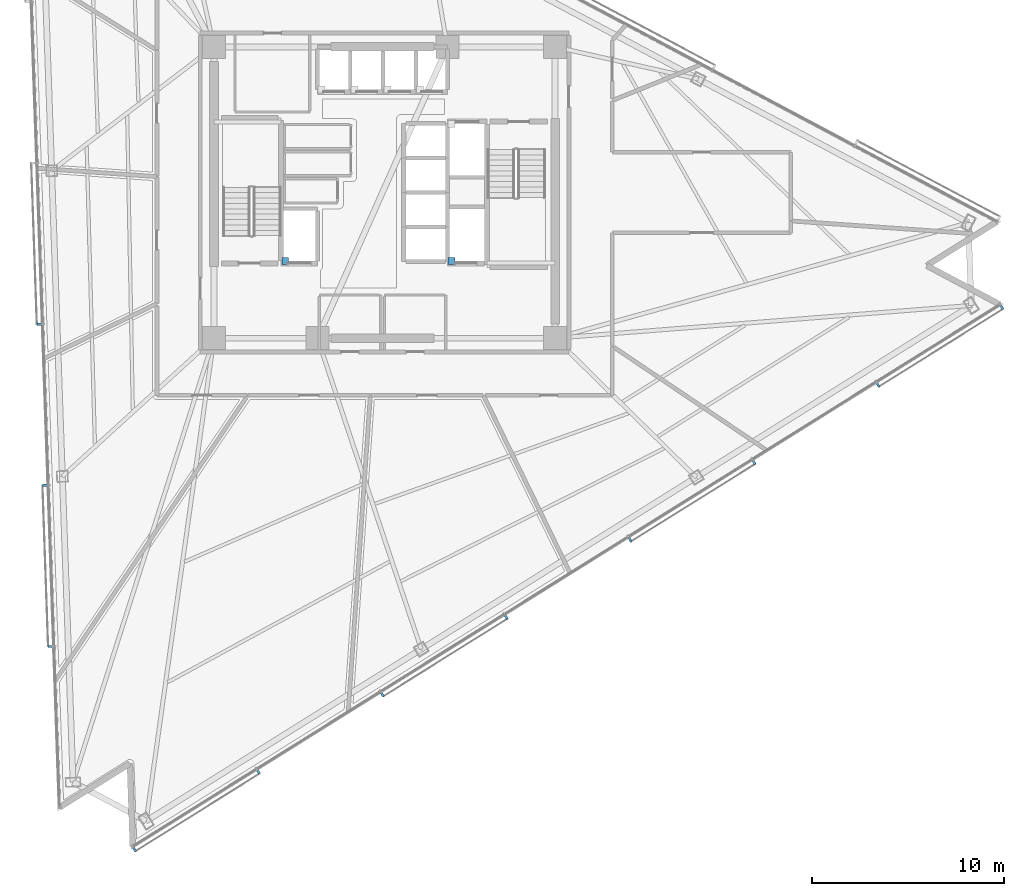
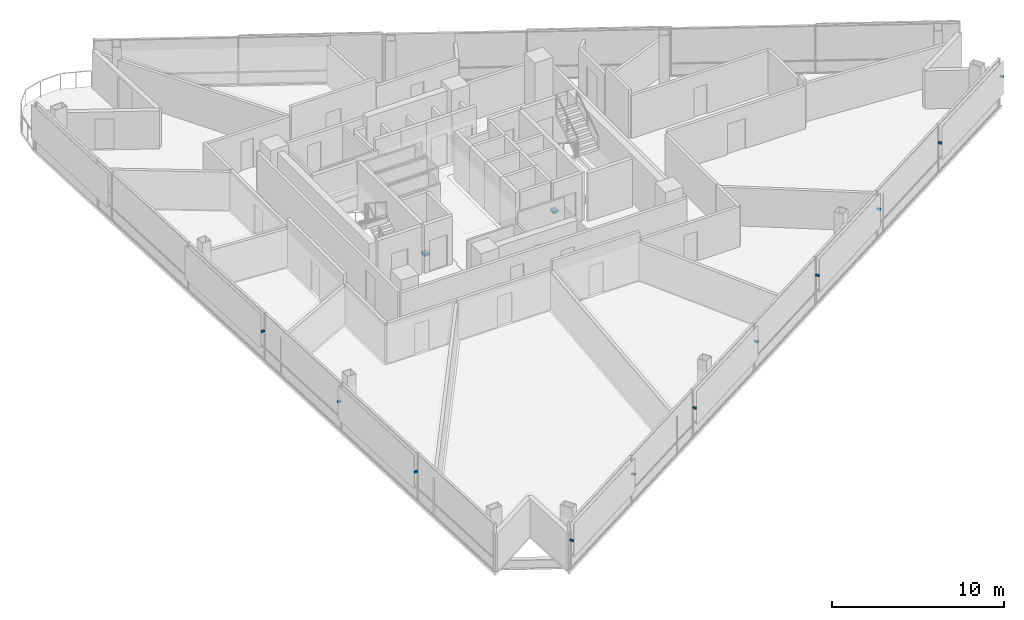
# One storey, part 15 of 20: 13 discrete accessories.
"""IFC4 building model written with IfcOpenShell, lengths in metres."""

from ifc_helpers import new_model, si_unit, direction, frame, origin, origin_2d, place, context, subcontext, project, spatial, rectangle, extrude, material, type_object, element, save


model = new_model("IFC4")

# Units and contexts
model_context = context("Model", 3, precision=1e-05, world=origin(), true_north=direction((0.0, 1.0)))
body_context = subcontext(model_context, "Body", "Model", "MODEL_VIEW")
ifc_project = project(units=[si_unit("LENGTHUNIT", "METRE"), si_unit("AREAUNIT", "SQUARE_METRE"), si_unit("VOLUMEUNIT", "CUBIC_METRE"), si_unit("PLANEANGLEUNIT", "RADIAN"), si_unit("MASSUNIT", "GRAM", prefix="KILO")], contexts=[model_context])

# Site, building, storey
site_placement = place(None, origin())
site = spatial("IfcSite", under=ifc_project, at=site_placement, CompositionType="ELEMENT")
building_placement = place(site_placement, origin())
building = spatial("IfcBuilding", under=site, at=building_placement, Name="Tharavind Bronze Gate", CompositionType="ELEMENT")
storey_placement = place(building_placement, frame((0.0, 0.0, 149.60009765625)))
storey = spatial("IfcBuildingStorey", under=building, at=storey_placement, Name="L38", CompositionType="ELEMENT", Elevation=149.60009765625)

# Discrete accessories
ifc_material_1 = material(Name="Galvanised Steel S355", Category="steel")
discrete_accessory_type_1 = type_object("IfcDiscreteAccessoryType", Name="LIFT GUIDE RAIL BRACKET", PredefinedType="BRACKET", material=ifc_material_1)
for number, where, z_axis, x_axis, name in (
    (1, (-5.179931640625, -3.580078125, 1.1201171875), (0.0, 0.0, 1.0), (1.0, 0.0, 0.0), "Lift FFL1 guide rail bracket at L38"),
    (2, (3.5, -3.580078125, 1.1201171875), (0.0, 0.0, 1.0), (1.0, 0.0, 0.0), "Lift SVL1 guide rail bracket at L38"),
):
    element("IfcDiscreteAccessory", number, at=place(storey_placement, frame(where, z_axis=z_axis, x_axis=x_axis)), inside=storey, type_object=discrete_accessory_type_1, Name=name, PredefinedType="BRACKET", context=body_context, shape_type="SweptSolid", body=[
        extrude(rectangle(XDim=0.360107421875, YDim=0.360107421875, at=origin_2d()), origin(), (0.0, 0.0, 1.0), 0.159912109375),
    ])
ifc_material_2 = material(Name="Stainless Steel 316", Category="steel")
discrete_accessory_type_2 = type_object("IfcDiscreteAccessoryType", Name="SOLAR SCREEN STANDOFF BRACKET", PredefinedType="BRACKET", material=ifc_material_2)
for number, where, z_axis, x_axis, name in (
    (3, (-18.018798828125, -6.8701171875, 2.0947265625), (0.0, 0.0, 1.0), (0.034899496703, -0.999390827019, 0.0), "CW-L38-S1 solar screen bracket 3.2"),
    (4, (-17.72509765625, -15.279541015625, 2.0947265625), (0.0, 0.0, 1.0), (0.034899496703, -0.999390827019, 0.0), "CW-L38-S1 solar screen bracket 5.1"),
    (5, (-17.431396484375, -23.68896484375, 2.0947265625), (0.0, 0.0, 1.0), (0.034899496703, -0.999390827019, 0.0), "CW-L38-S1 solar screen bracket 5.2"),
    (6, (-13.048095703125, -34.27294921875, 2.0947265625), (0.0, 0.0, 1.0), (0.848048096156, 0.529919264233, 0.0), "CW-L38-S2 solar screen bracket 1.1"),
    (7, (-6.582763671875, -30.23291015625, 2.0947265625), (0.0, 0.0, 1.0), (0.848048096156, 0.529919264233, 0.0), "CW-L38-S2 solar screen bracket 1.2"),
    (8, (-0.1171875, -26.19287109375, 2.0947265625), (0.0, 0.0, 1.0), (0.848048096156, 0.529919264233, 0.0), "CW-L38-S2 solar screen bracket 3.1"),
    (9, (6.34814453125, -22.15283203125, 2.0947265625), (0.0, 0.0, 1.0), (0.848048096156, 0.529919264233, 0.0), "CW-L38-S2 solar screen bracket 3.2"),
    (10, (12.813720703125, -18.11279296875, 2.0947265625), (0.0, 0.0, 1.0), (0.848048096156, 0.529919264233, 0.0), "CW-L38-S2 solar screen bracket 5.1"),
    (11, (19.279052734375, -14.07275390625, 2.0947265625), (0.0, 0.0, 1.0), (0.848048096156, 0.529919264233, 0.0), "CW-L38-S2 solar screen bracket 5.2"),
    (12, (25.744384765625, -10.03271484375, 2.0947265625), (0.0, 0.0, 1.0), (0.848048096156, 0.529919264233, 0.0), "CW-L38-S2 solar screen bracket 7.1"),
    (13, (32.2099609375, -5.992431640625, 2.0947265625), (0.0, 0.0, 1.0), (0.848048096156, 0.529919264233, 0.0), "CW-L38-S2 solar screen bracket 7.2"),
):
    element("IfcDiscreteAccessory", number, at=place(storey_placement, frame(where, z_axis=z_axis, x_axis=x_axis)), inside=storey, type_object=discrete_accessory_type_2, Name=name, PredefinedType="BRACKET", context=body_context, shape_type="SweptSolid", body=[
        extrude(rectangle(XDim=0.1201171875, YDim=0.239990234375, at=origin_2d()), origin(), (0.0, 0.0, 1.0), 0.1201171875),
    ])

save(model, "model.ifc")
